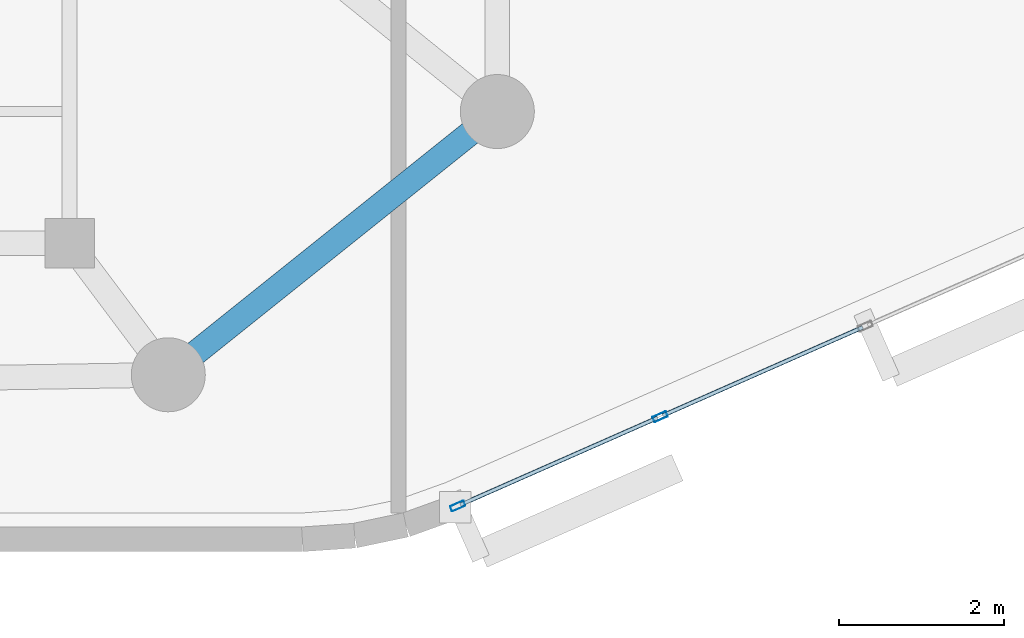
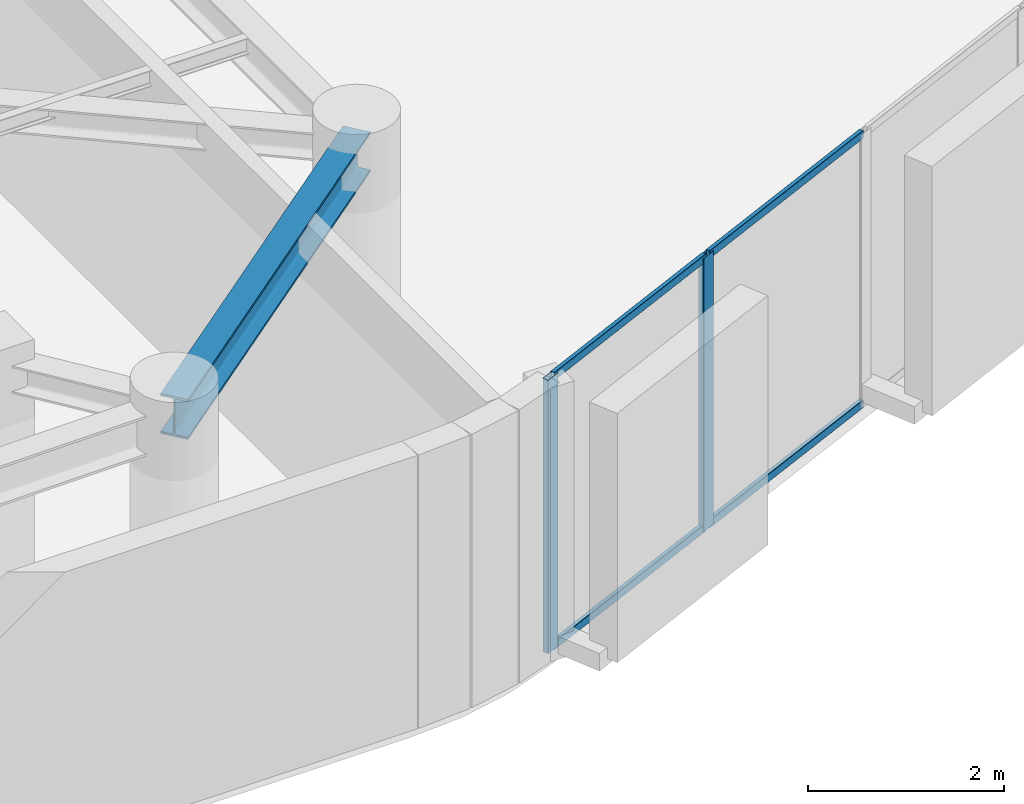
# One storey, part 2 of 12: 6 members, 1 beam, 1 element without a shape of its own.
"""IFC4 building model written with IfcOpenShell, lengths in metres."""

from ifc_helpers import new_model, si_unit, direction, frame, origin, origin_2d, place, context, subcontext, project, spatial, hollow_rectangle, i_section, extrude, material, layer, layer_set, material_profile, profile_set, type_object, element, aggregate, save


model = new_model("IFC4")

# Units and contexts
model_context = context("Model", 3, precision=1e-05, world=origin(), true_north=direction((0.0, 1.0)))
body_context = subcontext(model_context, "Body", "Model", "MODEL_VIEW")
ifc_project = project(units=[si_unit("LENGTHUNIT", "METRE"), si_unit("AREAUNIT", "SQUARE_METRE"), si_unit("VOLUMEUNIT", "CUBIC_METRE"), si_unit("PLANEANGLEUNIT", "RADIAN"), si_unit("MASSUNIT", "GRAM", prefix="KILO")], contexts=[model_context])

# Site, building, storey
site_placement = place(None, origin())
site = spatial("IfcSite", under=ifc_project, at=site_placement, CompositionType="ELEMENT")
building_placement = place(site_placement, origin())
building = spatial("IfcBuilding", under=site, at=building_placement, Name="An Khanh Terracotta Commons", CompositionType="ELEMENT")
storey_placement = place(building_placement, frame((0.0, 0.0, 291.64990234375)))
storey = spatial("IfcBuildingStorey", under=building, at=storey_placement, Name="L76", CompositionType="ELEMENT", Elevation=291.64990234375)

# Beam
ifc_material_1 = material(Name="Steel S355J2", Category="steel")
ifc_material_profile_1 = material_profile(ifc_material_1, i_section(OverallWidth=0.300048828125, OverallDepth=0.5, WebThickness=0.014404296875, FlangeThickness=0.028076171875, FilletRadius=0.027099609375, at=origin_2d()), Name="HEB500")
ifc_profile_set_1 = profile_set([ifc_material_profile_1], Name="Steel S355J2")
beam_type = type_object("IfcBeamType", Name="BM-HEB500", PredefinedType="BEAM", material=ifc_profile_set_1)
beam_placement = place(storey_placement, frame((59.39990234375, 12.800048828125, 3.16015625), z_axis=(0.780873459249, 0.624689235253, 0.0), x_axis=(-0.624689235253, 0.780873459249, 0.0)))
element("IfcBeam", 1, at=beam_placement, inside=storey, type_object=beam_type, Name="L76 Perimeter Ring Spandrel 2", PredefinedType="BEAM", context=body_context, shape_type="SweptSolid", body=[
    extrude(i_section(OverallWidth=0.300048828125, OverallDepth=0.5, WebThickness=0.014404296875, FlangeThickness=0.028076171875, FilletRadius=0.027099609375, at=origin_2d()), origin(), (0.0, 0.0, 1.0), 5.12255859375),
])

# Curtain wall, members
ifc_material_2 = material(Name="Anodised Aluminium 6063-T6", Category="aluminium")
ifc_layer = layer(ifc_material_2, 0.2099609375, Name="Anodised Aluminium 6063-T6")
ifc_layer_set = layer_set([ifc_layer], Name="Anodised Aluminium 6063-T6")
curtain_wall_type = type_object("IfcCurtainWallType", Name="CW-SYS-03", PredefinedType="USERDEFINED", material=ifc_layer_set)
curtain_wall_placement = place(storey_placement, origin())
curtain_wall = element("IfcCurtainWall", 2, at=curtain_wall_placement, inside=storey, type_object=curtain_wall_type, Name="L76 CW-03 Unitised Curtain Wall CW-L76-08", ObjectType="UNITISED CURTAIN WALL", PredefinedType="USERDEFINED")
ifc_material_profile_2 = material_profile(ifc_material_2, hollow_rectangle(XDim=0.070068359375, YDim=0.179931640625, WallThickness=0.00390625, InnerFilletRadius=0.00390625, OuterFilletRadius=0.008056640625, at=origin_2d()), Name="RHS180x70x4")
ifc_profile_set_2 = profile_set([ifc_material_profile_2], Name="Anodised Aluminium 6063-T6")
member_type_1 = type_object("IfcMemberType", Name="CWM-RHS180x70x4", PredefinedType="MULLION", material=ifc_profile_set_2)
member_1_placement = place(storey_placement, frame((62.9189453125, 11.205078125, 0.0), z_axis=(0.0, 0.0, 1.0), x_axis=(-0.403676354285, 0.914901853201, 0.0)))
member_1 = element("IfcMember", 3, at=member_1_placement, type_object=member_type_1, Name="CW-03 mullion 1", PredefinedType="MULLION", context=body_context, shape_type="SweptSolid", body=[
    extrude(hollow_rectangle(XDim=0.070068359375, YDim=0.179931640625, WallThickness=0.00390625, InnerFilletRadius=0.00390625, OuterFilletRadius=0.008056640625, at=origin_2d()), origin(), (0.0, 0.0, 1.0), 3.41015625),
])
member_2_placement = place(storey_placement, frame((65.37939453125, 12.290771484375, 0.0), z_axis=(0.0, 0.0, 1.0), x_axis=(-0.403676354285, 0.914901853201, 0.0)))
member_2 = element("IfcMember", 4, at=member_2_placement, type_object=member_type_1, Name="CW-03 mullion 2", PredefinedType="MULLION", context=body_context, shape_type="SweptSolid", body=[
    extrude(hollow_rectangle(XDim=0.070068359375, YDim=0.179931640625, WallThickness=0.00390625, InnerFilletRadius=0.00390625, OuterFilletRadius=0.008056640625, at=origin_2d()), origin(), (0.0, 0.0, 1.0), 3.41015625),
])
ifc_material_profile_3 = material_profile(ifc_material_2, hollow_rectangle(XDim=0.050048828125, YDim=0.10009765625, WallThickness=0.003173828125, InnerFilletRadius=0.003173828125, OuterFilletRadius=0.00634765625, at=origin_2d()), Name="RHS100x50x3.2")
ifc_profile_set_3 = profile_set([ifc_material_profile_3], Name="Anodised Aluminium 6063-T6")
member_type_2 = type_object("IfcMemberType", Name="CWT-RHS100x50x3.2", PredefinedType="USERDEFINED", material=ifc_profile_set_3)
member_3_placement = place(storey_placement, frame((62.950927734375, 11.21923828125, 0.025146484375), z_axis=(0.914903627858, 0.403672332137, 0.0), x_axis=(-0.403672332137, 0.914903627858, 0.0)))
member_3 = element("IfcMember", 5, at=member_3_placement, type_object=member_type_2, Name="CW-03 transom 1.1", ObjectType="TRANSOM", PredefinedType="USERDEFINED", context=body_context, shape_type="SweptSolid", body=[
    extrude(hollow_rectangle(XDim=0.050048828125, YDim=0.10009765625, WallThickness=0.003173828125, InnerFilletRadius=0.003173828125, OuterFilletRadius=0.00634765625, at=origin_2d()), origin(), (0.0, 0.0, 1.0), 2.619384765625),
])
member_4_placement = place(storey_placement, frame((62.950927734375, 11.21923828125, 3.385009765625), z_axis=(0.914903627858, 0.403672332137, 0.0), x_axis=(-0.403672332137, 0.914903627858, 0.0)))
member_4 = element("IfcMember", 6, at=member_4_placement, type_object=member_type_2, Name="CW-03 transom 1.2", ObjectType="TRANSOM", PredefinedType="USERDEFINED", context=body_context, shape_type="SweptSolid", body=[
    extrude(hollow_rectangle(XDim=0.050048828125, YDim=0.10009765625, WallThickness=0.003173828125, InnerFilletRadius=0.003173828125, OuterFilletRadius=0.00634765625, at=origin_2d()), origin(), (0.0, 0.0, 1.0), 2.619384765625),
])
member_5_placement = place(storey_placement, frame((65.41162109375, 12.304931640625, 0.025146484375), z_axis=(0.914896820753, 0.403687759755, 0.0), x_axis=(-0.403687759755, 0.914896820753, 0.0)))
member_5 = element("IfcMember", 7, at=member_5_placement, type_object=member_type_2, Name="CW-03 transom 2.1", ObjectType="TRANSOM", PredefinedType="USERDEFINED", context=body_context, shape_type="SweptSolid", body=[
    extrude(hollow_rectangle(XDim=0.050048828125, YDim=0.10009765625, WallThickness=0.003173828125, InnerFilletRadius=0.003173828125, OuterFilletRadius=0.00634765625, at=origin_2d()), origin(), (0.0, 0.0, 1.0), 2.654296875),
])
member_6_placement = place(storey_placement, frame((65.41162109375, 12.304931640625, 3.385009765625), z_axis=(0.914896820753, 0.403687759755, 0.0), x_axis=(-0.403687759755, 0.914896820753, 0.0)))
member_6 = element("IfcMember", 8, at=member_6_placement, type_object=member_type_2, Name="CW-03 transom 2.2", ObjectType="TRANSOM", PredefinedType="USERDEFINED", context=body_context, shape_type="SweptSolid", body=[
    extrude(hollow_rectangle(XDim=0.050048828125, YDim=0.10009765625, WallThickness=0.003173828125, InnerFilletRadius=0.003173828125, OuterFilletRadius=0.00634765625, at=origin_2d()), origin(), (0.0, 0.0, 1.0), 2.654296875),
])
aggregate(curtain_wall, [member_1, member_2, member_3, member_4, member_5, member_6])

save(model, "model.ifc")
